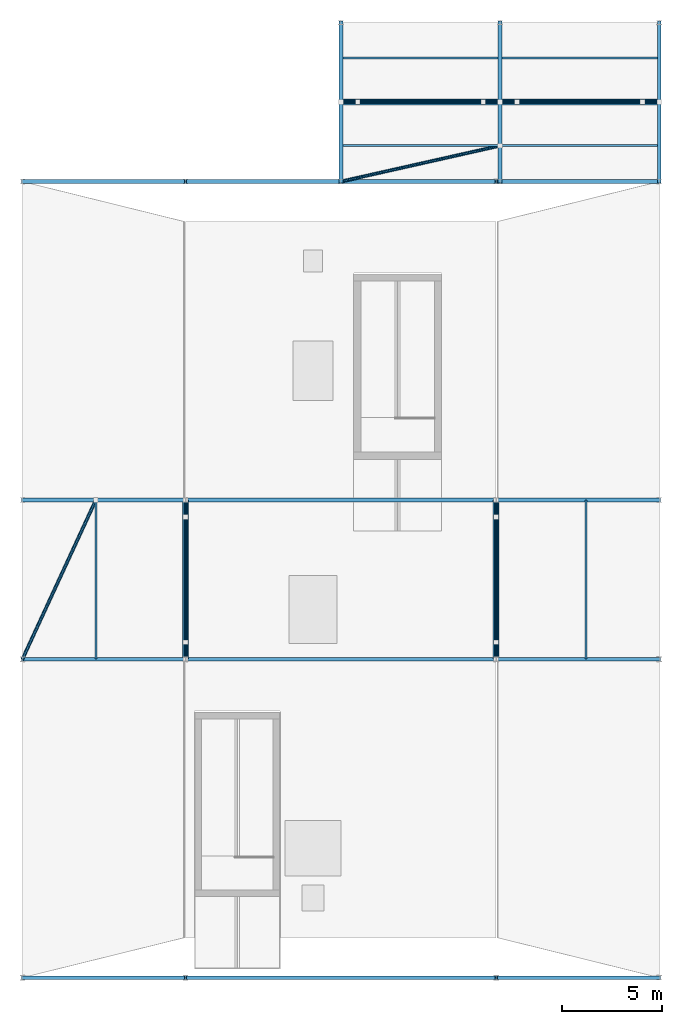
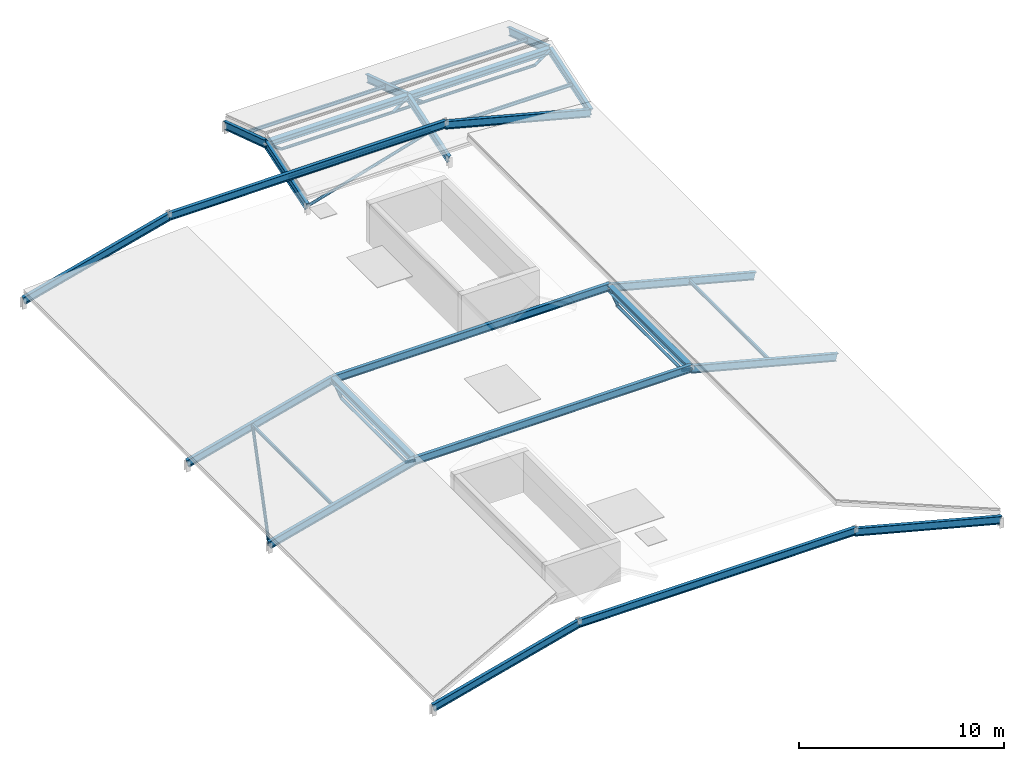
# One storey, part 1 of 8: 23 members, 18 beams.
"""IFC4 building model written with IfcOpenShell, lengths in metres."""

from ifc_helpers import new_model, si_unit, direction, frame, origin, origin_2d, place, context, subcontext, project, spatial, hollow_circle, i_section, extrude, material, material_profile, profile_set, type_object, element, save


model = new_model("IFC4")

# Units and contexts
model_context = context("Model", 3, precision=1e-05, world=origin(), true_north=direction((0.0, 1.0)))
body_context = subcontext(model_context, "Body", "Model", "MODEL_VIEW")
ifc_project = project(units=[si_unit("LENGTHUNIT", "METRE"), si_unit("AREAUNIT", "SQUARE_METRE"), si_unit("VOLUMEUNIT", "CUBIC_METRE"), si_unit("PLANEANGLEUNIT", "RADIAN"), si_unit("MASSUNIT", "GRAM", prefix="KILO")], contexts=[model_context])

# Site, building, storey
site_placement = place(None, origin())
site = spatial("IfcSite", under=ifc_project, at=site_placement, CompositionType="ELEMENT")
building_placement = place(site_placement, origin())
building = spatial("IfcBuilding", under=site, at=building_placement, Name="Kenh Van Central Station", CompositionType="ELEMENT")
storey_placement = place(building_placement, frame((0.0, 0.0, 27.60009765625)))
storey = spatial("IfcBuildingStorey", under=building, at=storey_placement, Name="RF", CompositionType="ELEMENT", Elevation=27.60009765625)

# Beams
ifc_material = material(Name="Steel S355", Category="steel")
ifc_material_profile_1 = material_profile(ifc_material, i_section(OverallWidth=0.18994140625, OverallDepth=0.449951171875, WebThickness=0.009521484375, FlangeThickness=0.0146484375, FilletRadius=0.02099609375, at=origin_2d()), Name="IPE 450")
ifc_profile_set_1 = profile_set([ifc_material_profile_1], Name="Steel S355")
beam_type = type_object("IfcBeamType", Name="BM-STL-IPE450", PredefinedType="BEAM", material=ifc_profile_set_1)
beam_1_placement = place(storey_placement, frame((144.0, 24.0, -0.515625), z_axis=(0.967305805013, 0.0, 0.253612853751), x_axis=(0.0, 1.0, 0.0)))
element("IfcBeam", 1, at=beam_1_placement, inside=storey, type_object=beam_type, Name="RF roof rafter 205", PredefinedType="BEAM", context=body_context, shape_type="SweptSolid", body=[
    extrude(i_section(OverallWidth=0.18994140625, OverallDepth=0.449951171875, WebThickness=0.009521484375, FlangeThickness=0.0146484375, FilletRadius=0.02099609375, at=origin_2d()), origin(), (0.0, 0.0, 1.0), 8.47705078125),
])
beam_2_placement = place(storey_placement, frame((152.199951171875, 24.0, 1.63427734375), z_axis=(0.999991138765, 0.0, 0.004209797119), x_axis=(0.0, 1.0, 0.0)))
element("IfcBeam", 2, at=beam_2_placement, inside=storey, type_object=beam_type, Name="RF roof rafter 206", PredefinedType="BEAM", context=body_context, shape_type="SweptSolid", body=[
    extrude(i_section(OverallWidth=0.18994140625, OverallDepth=0.449951171875, WebThickness=0.009521484375, FlangeThickness=0.0146484375, FilletRadius=0.02099609375, at=origin_2d()), origin(), (0.0, 0.0, 1.0), 15.600341796875),
])
for number, where, z_axis, x_axis, name in (
    (3, (167.800048828125, 24.0, 1.63427734375), (0.967305805013, 0.0, -0.253612853751), (0.0, 1.0, 0.0), "RF roof rafter 207"),
    (4, (144.0, 40.0, -0.515625), (0.967305805013, 0.0, 0.253612853751), (0.0, 1.0, 0.0), "RF roof rafter 208"),
):
    element("IfcBeam", number, at=place(storey_placement, frame(where, z_axis=z_axis, x_axis=x_axis)), inside=storey, type_object=beam_type, Name=name, PredefinedType="BEAM", context=body_context, shape_type="SweptSolid", body=[
        extrude(i_section(OverallWidth=0.18994140625, OverallDepth=0.449951171875, WebThickness=0.009521484375, FlangeThickness=0.0146484375, FilletRadius=0.02099609375, at=origin_2d()), origin(), (0.0, 0.0, 1.0), 8.47705078125),
    ])
beam_3_placement = place(storey_placement, frame((152.199951171875, 40.0, 1.63427734375), z_axis=(0.999991138765, 0.0, 0.004209797119), x_axis=(0.0, 1.0, 0.0)))
element("IfcBeam", 5, at=beam_3_placement, inside=storey, type_object=beam_type, Name="RF roof rafter 209", PredefinedType="BEAM", context=body_context, shape_type="SweptSolid", body=[
    extrude(i_section(OverallWidth=0.18994140625, OverallDepth=0.449951171875, WebThickness=0.009521484375, FlangeThickness=0.0146484375, FilletRadius=0.02099609375, at=origin_2d()), origin(), (0.0, 0.0, 1.0), 15.600341796875),
])
for number, where, z_axis, x_axis, name in (
    (6, (167.800048828125, 40.0, 1.63427734375), (0.967305805013, 0.0, -0.253612853751), (0.0, 1.0, 0.0), "RF roof rafter 210"),
    (7, (144.0, 48.0, -0.515625), (0.967305805013, 0.0, 0.253612853751), (0.0, 1.0, 0.0), "RF roof rafter 211"),
):
    element("IfcBeam", number, at=place(storey_placement, frame(where, z_axis=z_axis, x_axis=x_axis)), inside=storey, type_object=beam_type, Name=name, PredefinedType="BEAM", context=body_context, shape_type="SweptSolid", body=[
        extrude(i_section(OverallWidth=0.18994140625, OverallDepth=0.449951171875, WebThickness=0.009521484375, FlangeThickness=0.0146484375, FilletRadius=0.02099609375, at=origin_2d()), origin(), (0.0, 0.0, 1.0), 8.47705078125),
    ])
beam_4_placement = place(storey_placement, frame((152.199951171875, 48.0, 1.63427734375), z_axis=(0.999991138765, 0.0, 0.004209797119), x_axis=(0.0, 1.0, 0.0)))
element("IfcBeam", 8, at=beam_4_placement, inside=storey, type_object=beam_type, Name="RF roof rafter 212", PredefinedType="BEAM", context=body_context, shape_type="SweptSolid", body=[
    extrude(i_section(OverallWidth=0.18994140625, OverallDepth=0.449951171875, WebThickness=0.009521484375, FlangeThickness=0.0146484375, FilletRadius=0.02099609375, at=origin_2d()), origin(), (0.0, 0.0, 1.0), 15.600341796875),
])
for number, where, z_axis, x_axis, name in (
    (9, (167.800048828125, 48.0, 1.63427734375), (0.967305805013, 0.0, -0.253612853751), (0.0, 1.0, 0.0), "RF roof rafter 213"),
    (10, (144.0, 64.0, -0.515625), (0.967305805013, 0.0, 0.253612853751), (0.0, 1.0, 0.0), "RF roof rafter 214"),
):
    element("IfcBeam", number, at=place(storey_placement, frame(where, z_axis=z_axis, x_axis=x_axis)), inside=storey, type_object=beam_type, Name=name, PredefinedType="BEAM", context=body_context, shape_type="SweptSolid", body=[
        extrude(i_section(OverallWidth=0.18994140625, OverallDepth=0.449951171875, WebThickness=0.009521484375, FlangeThickness=0.0146484375, FilletRadius=0.02099609375, at=origin_2d()), origin(), (0.0, 0.0, 1.0), 8.47705078125),
    ])
beam_5_placement = place(storey_placement, frame((152.199951171875, 64.0, 1.63427734375), z_axis=(0.999991138765, 0.0, 0.004209797119), x_axis=(0.0, 1.0, 0.0)))
element("IfcBeam", 11, at=beam_5_placement, inside=storey, type_object=beam_type, Name="RF roof rafter 215", PredefinedType="BEAM", context=body_context, shape_type="SweptSolid", body=[
    extrude(i_section(OverallWidth=0.18994140625, OverallDepth=0.449951171875, WebThickness=0.009521484375, FlangeThickness=0.0146484375, FilletRadius=0.02099609375, at=origin_2d()), origin(), (0.0, 0.0, 1.0), 15.600341796875),
])
beam_6_placement = place(storey_placement, frame((167.800048828125, 64.0, 1.63427734375), z_axis=(0.967305805013, 0.0, -0.253612853751), x_axis=(0.0, 1.0, 0.0)))
element("IfcBeam", 12, at=beam_6_placement, inside=storey, type_object=beam_type, Name="RF roof rafter 216", PredefinedType="BEAM", context=body_context, shape_type="SweptSolid", body=[
    extrude(i_section(OverallWidth=0.18994140625, OverallDepth=0.449951171875, WebThickness=0.009521484375, FlangeThickness=0.0146484375, FilletRadius=0.02099609375, at=origin_2d()), origin(), (0.0, 0.0, 1.0), 8.47705078125),
])
for number, where, z_axis, x_axis, name in (
    (13, (160.0, 64.0, -0.50341796875), (0.0, 0.951030656115, 0.309096572498), (-1.0, 0.0, 0.0), "RF roof rafter 219"),
    (14, (160.0, 68.0, 0.796630859375), (0.0, 0.951030656115, -0.309096572498), (-1.0, 0.0, 0.0), "RF roof rafter 220"),
    (15, (168.0, 64.0, -0.50341796875), (0.0, 0.951030656115, 0.309096572498), (-1.0, 0.0, 0.0), "RF roof rafter 221"),
    (16, (168.0, 68.0, 0.796630859375), (0.0, 0.951030656115, -0.309096572498), (-1.0, 0.0, 0.0), "RF roof rafter 222"),
    (17, (176.0, 64.0, -0.50341796875), (0.0, 0.951030656115, 0.309096572498), (-1.0, 0.0, 0.0), "RF roof rafter 223"),
    (18, (176.0, 68.0, 0.796630859375), (0.0, 0.951030656115, -0.309096572498), (-1.0, 0.0, 0.0), "RF roof rafter 224"),
):
    element("IfcBeam", number, at=place(storey_placement, frame(where, z_axis=z_axis, x_axis=x_axis)), inside=storey, type_object=beam_type, Name=name, PredefinedType="BEAM", context=body_context, shape_type="SweptSolid", body=[
        extrude(i_section(OverallWidth=0.18994140625, OverallDepth=0.449951171875, WebThickness=0.009521484375, FlangeThickness=0.0146484375, FilletRadius=0.02099609375, at=origin_2d()), origin(), (0.0, 0.0, 1.0), 4.2060546875),
    ])

# Members
ifc_material_profile_2 = material_profile(ifc_material, i_section(OverallWidth=0.10009765625, OverallDepth=0.199951171875, WebThickness=0.005615234375, FlangeThickness=0.008544921875, FilletRadius=0.011962890625, at=origin_2d()), Name="IPE 200")
ifc_profile_set_2 = profile_set([ifc_material_profile_2], Name="Steel S355")
member_type_1 = type_object("IfcMemberType", Name="MEM-PUR-IPE200", PredefinedType="PURLIN", material=ifc_profile_set_2)
for number, where, z_axis, x_axis, name in (
    (19, (147.68994140625, 40.0, 0.451904296875), (0.0, 1.0, 0.0), (-1.0, 0.0, 0.0), "RF roof purlin 101"),
    (20, (172.31005859375, 40.0, 0.451904296875), (0.0, 1.0, 0.0), (-1.0, 0.0, 0.0), "RF roof purlin 102"),
    (21, (160.0, 65.800048828125, 0.08154296875), (1.0, 0.0, 0.0), (0.0, 1.0, 0.0), "RF roof purlin 103"),
    (22, (168.0, 65.800048828125, 0.08154296875), (1.0, 0.0, 0.0), (0.0, 1.0, 0.0), "RF roof purlin 104"),
    (23, (160.0, 70.199951171875, 0.08154296875), (1.0, 0.0, 0.0), (0.0, 1.0, 0.0), "RF roof purlin 105"),
    (24, (168.0, 70.199951171875, 0.08154296875), (1.0, 0.0, 0.0), (0.0, 1.0, 0.0), "RF roof purlin 106"),
):
    element("IfcMember", number, at=place(storey_placement, frame(where, z_axis=z_axis, x_axis=x_axis)), inside=storey, type_object=member_type_1, Name=name, PredefinedType="PURLIN", context=body_context, shape_type="SweptSolid", body=[
        extrude(i_section(OverallWidth=0.10009765625, OverallDepth=0.199951171875, WebThickness=0.005615234375, FlangeThickness=0.008544921875, FilletRadius=0.011962890625, at=origin_2d()), origin(), (0.0, 0.0, 1.0), 8.0),
    ])
ifc_material_profile_3 = material_profile(ifc_material, hollow_circle(Radius=0.084228515625, WallThickness=0.008056640625, at=origin_2d()), Name="CHS 168.3x8")
ifc_profile_set_3 = profile_set([ifc_material_profile_3], Name="Steel S355")
member_type_2 = type_object("IfcMemberType", Name="MEM-ROOF-BRC168", PredefinedType="BRACE", material=ifc_profile_set_3)
member_1_placement = place(storey_placement, frame((144.0, 40.0, -0.515625), z_axis=(0.416333591659, 0.902634585914, 0.10916567578), x_axis=(-0.908061553358, 0.418836740645, 0.0)))
element("IfcMember", 25, at=member_1_placement, inside=storey, type_object=member_type_2, Name="RF roof wind brace 065", PredefinedType="BRACE", context=body_context, shape_type="SweptSolid", body=[
    extrude(hollow_circle(Radius=0.084228515625, WallThickness=0.008056640625, at=origin_2d()), origin(), (0.0, 0.0, 1.0), 8.863037109375),
])
member_2_placement = place(storey_placement, frame((152.199951171875, 40.85009765625, 1.014404296875), z_axis=(0.0, 1.0, 0.0), x_axis=(-1.0, 0.0, 0.0)))
element("IfcMember", 26, at=member_2_placement, inside=storey, type_object=member_type_2, Name="RF roof truss lower chord 066", PredefinedType="BRACE", context=body_context, shape_type="SweptSolid", body=[
    extrude(hollow_circle(Radius=0.084228515625, WallThickness=0.008056640625, at=origin_2d()), origin(), (0.0, 0.0, 1.0), 6.2998046875),
])
for number, where, z_axis, x_axis, name in (
    (27, (152.199951171875, 40.85009765625, 1.014404296875), (0.0, -0.808002927302, 0.589178469966), (1.0, 0.0, 0.0), "RF roof truss web diagonal 067"),
    (28, (152.199951171875, 47.14990234375, 1.014404296875), (0.0, 0.808002927302, 0.589178469966), (-1.0, 0.0, 0.0), "RF roof truss web diagonal 068"),
):
    element("IfcMember", number, at=place(storey_placement, frame(where, z_axis=z_axis, x_axis=x_axis)), inside=storey, type_object=member_type_2, Name=name, PredefinedType="BRACE", context=body_context, shape_type="SweptSolid", body=[
        extrude(hollow_circle(Radius=0.084228515625, WallThickness=0.008056640625, at=origin_2d()), origin(), (0.0, 0.0, 1.0), 1.052001953125),
    ])
member_3_placement = place(storey_placement, frame((167.800048828125, 40.85009765625, 1.014404296875), z_axis=(0.0, 1.0, 0.0), x_axis=(-1.0, 0.0, 0.0)))
element("IfcMember", 29, at=member_3_placement, inside=storey, type_object=member_type_2, Name="RF roof truss lower chord 069", PredefinedType="BRACE", context=body_context, shape_type="SweptSolid", body=[
    extrude(hollow_circle(Radius=0.084228515625, WallThickness=0.008056640625, at=origin_2d()), origin(), (0.0, 0.0, 1.0), 6.2998046875),
])
for number, where, z_axis, x_axis, name in (
    (30, (167.800048828125, 40.85009765625, 1.014404296875), (0.0, -0.808002927302, 0.589178469966), (1.0, 0.0, 0.0), "RF roof truss web diagonal 070"),
    (31, (167.800048828125, 47.14990234375, 1.014404296875), (0.0, 0.808002927302, 0.589178469966), (-1.0, 0.0, 0.0), "RF roof truss web diagonal 071"),
):
    element("IfcMember", number, at=place(storey_placement, frame(where, z_axis=z_axis, x_axis=x_axis)), inside=storey, type_object=member_type_2, Name=name, PredefinedType="BRACE", context=body_context, shape_type="SweptSolid", body=[
        extrude(hollow_circle(Radius=0.084228515625, WallThickness=0.008056640625, at=origin_2d()), origin(), (0.0, 0.0, 1.0), 1.052001953125),
    ])
member_4_placement = place(storey_placement, frame((160.0, 64.0, -0.50341796875), z_axis=(0.973135522782, 0.218961432174, 0.071155783465), x_axis=(-0.219517862832, 0.975608480846, 0.0)))
element("IfcMember", 32, at=member_4_placement, inside=storey, type_object=member_type_2, Name="RF roof wind brace 072", PredefinedType="BRACE", context=body_context, shape_type="SweptSolid", body=[
    extrude(hollow_circle(Radius=0.084228515625, WallThickness=0.008056640625, at=origin_2d()), origin(), (0.0, 0.0, 1.0), 8.220947265625),
])
member_5_placement = place(storey_placement, frame((160.85009765625, 68.0, 0.176513671875), z_axis=(1.0, 0.0, 0.0), x_axis=(0.0, 1.0, 0.0)))
element("IfcMember", 33, at=member_5_placement, inside=storey, type_object=member_type_2, Name="RF roof truss lower chord 073", PredefinedType="BRACE", context=body_context, shape_type="SweptSolid", body=[
    extrude(hollow_circle(Radius=0.084228515625, WallThickness=0.008056640625, at=origin_2d()), origin(), (0.0, 0.0, 1.0), 14.2998046875),
])
for number, where, z_axis, x_axis, name in (
    (34, (160.85009765625, 68.0, 0.176513671875), (-0.807892458304, 0.0, 0.589329937993), (0.0, -1.0, 0.0), "RF roof truss web diagonal 074"),
    (35, (167.14990234375, 68.0, 0.176513671875), (0.807892458304, 0.0, 0.589329937993), (0.0, 1.0, 0.0), "RF roof truss web diagonal 075"),
    (36, (168.85009765625, 68.0, 0.176513671875), (-0.807892458304, 0.0, 0.589329937993), (0.0, -1.0, 0.0), "RF roof truss web diagonal 076"),
    (37, (175.14990234375, 68.0, 0.176513671875), (0.807892458304, 0.0, 0.589329937993), (0.0, 1.0, 0.0), "RF roof truss web diagonal 077"),
):
    element("IfcMember", number, at=place(storey_placement, frame(where, z_axis=z_axis, x_axis=x_axis)), inside=storey, type_object=member_type_2, Name=name, PredefinedType="BRACE", context=body_context, shape_type="SweptSolid", body=[
        extrude(hollow_circle(Radius=0.084228515625, WallThickness=0.008056640625, at=origin_2d()), origin(), (0.0, 0.0, 1.0), 1.05224609375),
    ])
ifc_material_profile_4 = material_profile(ifc_material, i_section(OverallWidth=0.300048828125, OverallDepth=0.35009765625, WebThickness=0.010009765625, FlangeThickness=0.017578125, FilletRadius=0.027099609375, at=origin_2d()), Name="HEA 360")
ifc_profile_set_4 = profile_set([ifc_material_profile_4], Name="Steel S355")
member_type_3 = type_object("IfcMemberType", Name="MEM-ROOF-HEA360", PredefinedType="CHORD", material=ifc_profile_set_4)
for number, where, z_axis, x_axis, name in (
    (38, (152.199951171875, 40.0, 1.63427734375), (0.0, 1.0, 0.0), (-1.0, 0.0, 0.0), "RF roof ridge chord 203"),
    (39, (167.800048828125, 40.0, 1.63427734375), (0.0, 1.0, 0.0), (-1.0, 0.0, 0.0), "RF roof ridge chord 204"),
    (40, (160.0, 68.0, 0.796630859375), (1.0, 0.0, 0.0), (0.0, 1.0, 0.0), "RF roof ridge chord 217"),
    (41, (168.0, 68.0, 0.796630859375), (1.0, 0.0, 0.0), (0.0, 1.0, 0.0), "RF roof ridge chord 218"),
):
    element("IfcMember", number, at=place(storey_placement, frame(where, z_axis=z_axis, x_axis=x_axis)), inside=storey, type_object=member_type_3, Name=name, PredefinedType="CHORD", context=body_context, shape_type="SweptSolid", body=[
        extrude(i_section(OverallWidth=0.300048828125, OverallDepth=0.35009765625, WebThickness=0.010009765625, FlangeThickness=0.017578125, FilletRadius=0.027099609375, at=origin_2d()), origin(), (0.0, 0.0, 1.0), 8.0),
    ])

save(model, "model.ifc")
